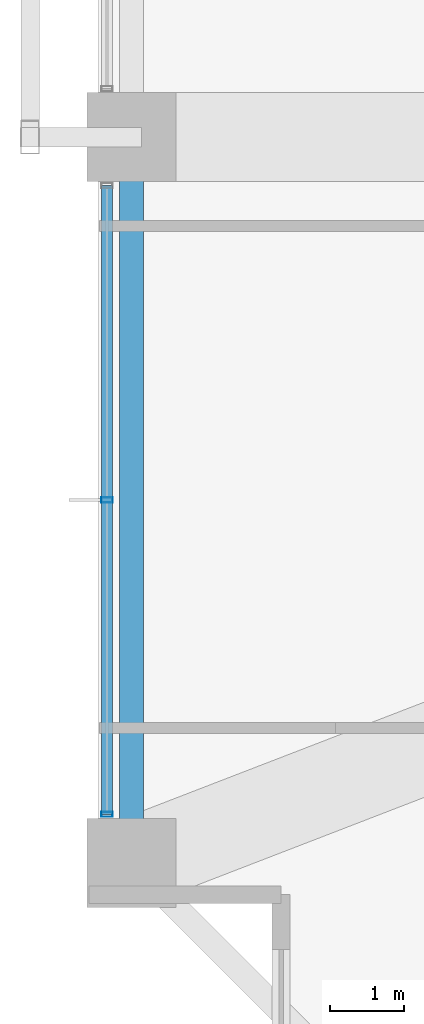
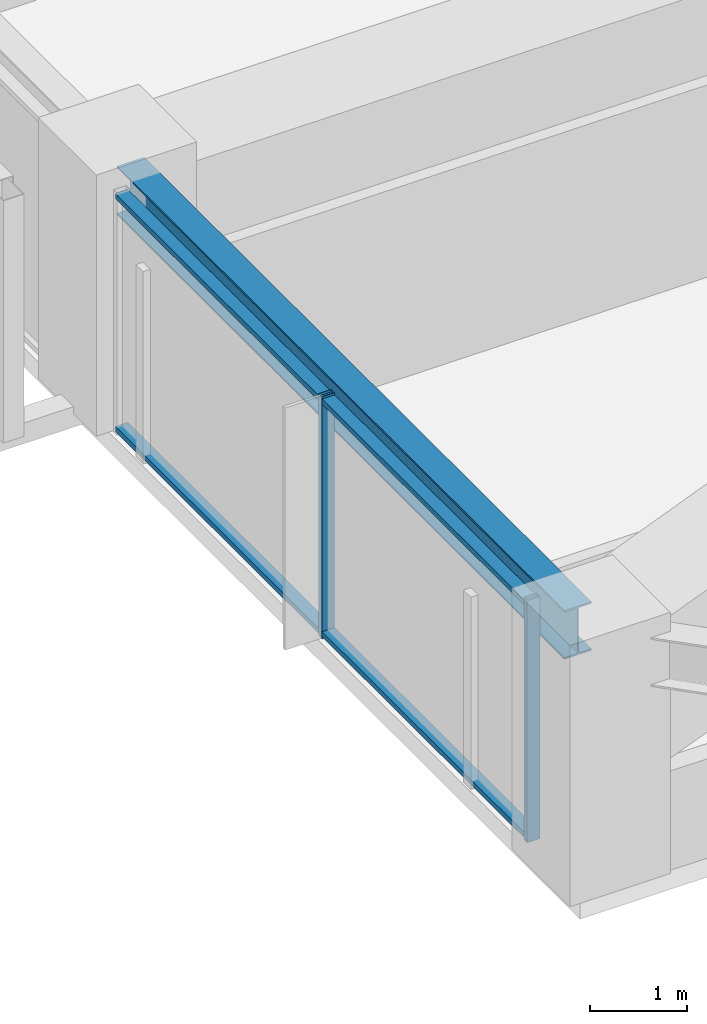
# One storey, part 3 of 37: 4 members, 1 beam, 1 element without a shape of its own.
"""IFC4 building model written with IfcOpenShell, lengths in metres."""

import ifcopenshell
import ifcopenshell.guid

model = None  # the IFC model being written
_history = None  # IfcOwnerHistory: only IFC2X3 demands one
_inside = {}  # id of a spatial element -> (the spatial element, [elements in it])
_under = {}  # id of a project, library or spatial element -> (it, [spatial elements below it])
_declared = {}  # id of a project -> (the project, [libraries it declares])
_typed = {}  # id of a type object -> (the type object, [elements of that type])
_made_of = {}  # id of a material, layer set ... -> (it, [elements and type objects made of it])


def new_model(schema):
    """Start an empty IFC model of exactly this schema.

    Asked for "IFC4X3", IfcOpenShell would pick the latest addendum, in which some entities
    have other attributes; the version numbers below select the first issue.
    IFC2X3 requires an IfcOwnerHistory on every rooted entity: one is made here for all.
    """
    global model, _history
    if schema == "IFC4X3":
        model = ifcopenshell.file(schema_version=(4, 3, 0, 0))
    else:
        model = ifcopenshell.file(schema=schema)
    _inside.clear()
    _under.clear()
    _declared.clear()
    _typed.clear()
    _made_of.clear()
    _history = None
    if model.schema == "IFC2X3":
        org = make("IfcOrganization", Name="unknown")
        user = make(
            "IfcPersonAndOrganization",
            ThePerson=make("IfcPerson", FamilyName="unknown"),
            TheOrganization=org,
        )
        app = make(
            "IfcApplication",
            ApplicationDeveloper=org,
            Version="unknown",
            ApplicationFullName="unknown",
            ApplicationIdentifier="unknown",
        )
        _history = make(
            "IfcOwnerHistory",
            OwningUser=user,
            OwningApplication=app,
            ChangeAction="ADDED",
            CreationDate=0,
        )
    return model


def make(cls, **values):
    """One entity of the class cls with the attributes given. An attribute that is None is left unset."""
    return model.create_entity(
        cls, **{name: value for name, value in values.items() if value is not None}
    )


def rooted(cls, **values):
    """An entity with a GlobalId (a new one), such as an element, a storey or a relation."""
    return make(cls, GlobalId=ifcopenshell.guid.new(), OwnerHistory=_history, **values)


def si_unit(unit_type, name, prefix=None):
    """IfcSIUnit, for example si_unit("LENGTHUNIT", "METRE", prefix="MILLI")."""
    return make("IfcSIUnit", UnitType=unit_type, Prefix=prefix, Name=name)


def assignment(units):
    """IfcUnitAssignment: the units of a project."""
    return None if units is None else make("IfcUnitAssignment", Units=units)


def point(xyz):
    """IfcCartesianPoint."""
    return None if xyz is None else make("IfcCartesianPoint", Coordinates=xyz)


def direction(xyz):
    """IfcDirection."""
    return None if xyz is None else make("IfcDirection", DirectionRatios=xyz)


def frame(location, z_axis=None, x_axis=None):
    """IfcAxis2Placement3D, a coordinate frame: its origin and axes. An axis left out is left unset."""
    return make(
        "IfcAxis2Placement3D",
        Location=point(location),
        Axis=direction(z_axis),
        RefDirection=direction(x_axis),
    )


def frame_2d(location, x_axis=None):
    """IfcAxis2Placement2D, a coordinate frame in the plane: its origin and x axis."""
    return make(
        "IfcAxis2Placement2D", Location=point(location), RefDirection=direction(x_axis)
    )


def origin():
    """The frame at (0, 0, 0) with its axes left unset."""
    return frame((0.0, 0.0, 0.0))


def origin_2d():
    """The frame at (0, 0) in the plane with its x axis left unset."""
    return frame_2d((0.0, 0.0))


def place(relative_to, where):
    """IfcLocalPlacement: puts the frame where relative to a parent placement (None: the world)."""
    return make(
        "IfcLocalPlacement", PlacementRelTo=relative_to, RelativePlacement=where
    )


def context(
    kind, dimensions, precision=None, world=None, true_north=None, identifier=None
):
    """IfcGeometricRepresentationContext, for example the 3D "Model" context."""
    return make(
        "IfcGeometricRepresentationContext",
        ContextIdentifier=identifier,
        ContextType=kind,
        CoordinateSpaceDimension=dimensions,
        Precision=precision,
        WorldCoordinateSystem=world,
        TrueNorth=true_north,
    )


def subcontext(parent, identifier, kind, view, scale=None):
    """IfcGeometricRepresentationSubContext, for example "Body" below "Model"."""
    return make(
        "IfcGeometricRepresentationSubContext",
        ContextIdentifier=identifier,
        ContextType=kind,
        ParentContext=parent,
        TargetScale=scale,
        TargetView=view,
    )


def project(units=None, contexts=None):
    """IfcProject with its units and contexts."""
    return rooted(
        "IfcProject",
        Name="project",
        RepresentationContexts=contexts,
        UnitsInContext=assignment(units),
    )


def spatial(cls, under=None, at=None, **own):
    """A site, building, storey or space (cls), placed at a placement, below another one or the project."""
    s = rooted(cls, ObjectPlacement=at, **own)
    if under is not None:
        _under.setdefault(under.id(), (under, []))[1].append(s)
    return s


def profile(cls, at=None, kind="AREA", **sizes):
    """A parametric profile (cls). Its sizes go by their IFC names, for example OverallWidth=200.0."""
    return make(cls, ProfileType=kind, Position=at, **sizes)


def hollow_rectangle(**sizes):
    """IfcRectangleHollowProfileDef."""
    return profile("IfcRectangleHollowProfileDef", **sizes)


def i_section(**sizes):
    """IfcIShapeProfileDef."""
    return profile("IfcIShapeProfileDef", **sizes)


def extrude(swept, where, along, depth):
    """IfcExtrudedAreaSolid: the profile swept, set in the frame where, extruded along a direction by depth."""
    return make(
        "IfcExtrudedAreaSolid",
        SweptArea=swept,
        Position=where,
        ExtrudedDirection=direction(along),
        Depth=depth,
    )


def shape(context_of_items, identifier, shape_type, items):
    """IfcShapeRepresentation: the items that make up one representation, for example the "Body"."""
    return make(
        "IfcShapeRepresentation",
        ContextOfItems=context_of_items,
        RepresentationIdentifier=identifier,
        RepresentationType=shape_type,
        Items=items,
    )


def material(Name=None, Category=None):
    """IfcMaterial."""
    return make("IfcMaterial", Name=Name, Category=Category)


def material_profile(
    of_material, cross_section, Name=None, Category=None, Priority=None
):
    """IfcMaterialProfile: a cross section and its material."""
    return make(
        "IfcMaterialProfile",
        Name=Name,
        Material=of_material,
        Profile=cross_section,
        Priority=Priority,
        Category=Category,
    )


def profile_set(profiles, Name=None, composite=None):
    """IfcMaterialProfileSet."""
    return make(
        "IfcMaterialProfileSet",
        Name=Name,
        MaterialProfiles=profiles,
        CompositeProfile=composite,
    )


def made_of(thing, what):
    """Note that an element or type object is made of a material, layer set ...; save() writes the relation."""
    if what is not None:
        _made_of.setdefault(what.id(), (what, []))[1].append(thing)
    return thing


def type_object(cls, material=None, **own):
    """A type object (cls), such as IfcWallType, which elements share."""
    return made_of(rooted(cls, **own), material)


def element(
    cls,
    number,
    at=None,
    inside=None,
    cuts=None,
    type_object=None,
    material=None,
    context=None,
    identifier="Body",
    shape_type=None,
    held_by="IfcProductDefinitionShape",
    body=None,
    shapes=None,
    **own,
):
    """One element of the class cls, such as IfcWall. Its Tag is "e" and its number.

    at: its placement. inside: the storey or other place that contains it. cuts: it is an
    opening in that element (IfcRelVoidsElement). A single representation is given by context,
    identifier, shape_type and body (its items); several are given by shapes. held_by: the class
    of the entity that holds the representations. save() writes the other relations.
    """
    e = rooted(cls, Tag="e%d" % number, ObjectPlacement=at, **own)
    if body is not None:
        shapes = [shape(context, identifier, shape_type, body)]
    if shapes is not None:
        e.Representation = make(held_by, Representations=shapes)
    if inside is not None:
        _inside.setdefault(inside.id(), (inside, []))[1].append(e)
    if cuts is not None:
        rooted(
            "IfcRelVoidsElement", RelatingBuildingElement=cuts, RelatedOpeningElement=e
        )
    if type_object is not None:
        _typed.setdefault(type_object.id(), (type_object, []))[1].append(e)
    return made_of(e, material)


def aggregate(whole, parts):
    """IfcRelAggregates: a whole, such as a stair, and the parts it consists of."""
    return rooted("IfcRelAggregates", RelatingObject=whole, RelatedObjects=parts)


def save(model, path):
    """Write the relations noted so far, then the file.

    IfcRelAggregates (storeys below a building ...), IfcRelContainedInSpatialStructure (elements
    in a storey), IfcRelDefinesByType, IfcRelAssociatesMaterial and IfcRelDeclares: one each for
    every whole, place, type object, material and project.
    """
    for whole, parts in _under.values():
        aggregate(whole, parts)
    for where, things in _inside.values():
        rooted(
            "IfcRelContainedInSpatialStructure",
            RelatedElements=things,
            RelatingStructure=where,
        )
    for kind, things in _typed.values():
        rooted("IfcRelDefinesByType", RelatedObjects=things, RelatingType=kind)
    for what, things in _made_of.values():
        rooted("IfcRelAssociatesMaterial", RelatedObjects=things, RelatingMaterial=what)
    for by, libraries in _declared.values():
        rooted("IfcRelDeclares", RelatingContext=by, RelatedDefinitions=libraries)
    model.write(path)


model = new_model("IFC4")

# Units and contexts
model_context = context("Model", 3, precision=1e-05, world=origin(), true_north=direction((0.0, 1.0)))
body_context = subcontext(model_context, "Body", "Model", "MODEL_VIEW")
ifc_project = project(units=[si_unit("LENGTHUNIT", "METRE"), si_unit("AREAUNIT", "SQUARE_METRE"), si_unit("VOLUMEUNIT", "CUBIC_METRE"), si_unit("PLANEANGLEUNIT", "RADIAN"), si_unit("MASSUNIT", "GRAM", prefix="KILO")], contexts=[model_context])

# Site, building, storey
site_placement = place(None, origin())
site = spatial("IfcSite", under=ifc_project, at=site_placement, CompositionType="ELEMENT")
building_placement = place(site_placement, origin())
building = spatial("IfcBuilding", under=site, at=building_placement, Name="Kolvaren Belvedere", CompositionType="ELEMENT")
storey_placement = place(building_placement, frame((0.0, 0.0, 56.800048828125)))
storey = spatial("IfcBuildingStorey", under=building, at=storey_placement, Name="L16", CompositionType="ELEMENT", Elevation=56.800048828125)

# Beam
ifc_material_1 = material(Name="Structural steel ASTM A992 Grade 50", Category="steel")
ifc_material_profile_1 = material_profile(ifc_material_1, i_section(OverallWidth=0.324951171875, OverallDepth=0.615966796875, WebThickness=0.013916015625, FlangeThickness=0.021484375, FilletRadius=0.02001953125, at=origin_2d()), Name="W24X117")
ifc_profile_set_1 = profile_set([ifc_material_profile_1], Name="Structural steel ASTM A992 Grade 50")
beam_type = type_object("IfcBeamType", Name="BM-SPAN-W24X117", PredefinedType="SPANDREL", material=ifc_profile_set_1)
beam_placement = place(storey_placement, frame((-21.550048828125, -4.8701171875, 2.751953125), z_axis=(0.0, -1.0, 0.0), x_axis=(1.0, 0.0, 0.0)))
element("IfcBeam", 1, at=beam_placement, inside=storey, type_object=beam_type, Name="L16 Perimeter Spandrel W2-W1", PredefinedType="SPANDREL", context=body_context, shape_type="SweptSolid", body=[
    extrude(i_section(OverallWidth=0.324951171875, OverallDepth=0.615966796875, WebThickness=0.013916015625, FlangeThickness=0.021484375, FilletRadius=0.02001953125, at=origin_2d()), origin(), (0.0, 0.0, 1.0), 9.259765625),
])

# Curtain wall, members
ifc_material_2 = material(Name="Anodised pale-metal aluminium AA 6063-T6", Category="aluminium")
curtain_wall_type = type_object("IfcCurtainWallType", Name="CW-Z1-LOW", PredefinedType="NOTDEFINED", material=ifc_material_2)
curtain_wall_placement = place(storey_placement, origin())
curtain_wall = element("IfcCurtainWall", 2, at=curtain_wall_placement, inside=storey, type_object=curtain_wall_type, Name="L16 Unitised Curtain Wall FCW-L16-W-B1", PredefinedType="NOTDEFINED")
ifc_material_3 = material(Name="Anodised pale-metal aluminium AA 6063-T6", Category="aluminium")
ifc_material_profile_2 = material_profile(ifc_material_3, hollow_rectangle(XDim=0.070068359375, YDim=0.14990234375, WallThickness=0.004150390625, at=origin_2d()), Name="ALU-MUL-150X70")
ifc_profile_set_2 = profile_set([ifc_material_profile_2], Name="Anodised pale-metal aluminium AA 6063-T6")
member_type_1 = type_object("IfcMemberType", Name="CW-MUL-150", PredefinedType="MULLION", material=ifc_profile_set_2)
member_1_placement = place(storey_placement, frame((-21.8798828125, -13.7451171875, 0.0), z_axis=(0.0, 0.0, 1.0), x_axis=(0.0, 1.0, 0.0)))
member_1 = element("IfcMember", 3, at=member_1_placement, type_object=member_type_1, Name="FCW-L16-W-B1 Unitised Mullion 1", PredefinedType="MULLION", context=body_context, shape_type="SweptSolid", body=[
    extrude(hollow_rectangle(XDim=0.070068359375, YDim=0.14990234375, WallThickness=0.004150390625, at=origin_2d()), origin(), (0.0, 0.0, 1.0), 3.06005859375),
])
member_2_placement = place(storey_placement, frame((-21.8798828125, -9.5, 0.0), z_axis=(0.0, 0.0, 1.0), x_axis=(0.0, 1.0, 0.0)))
member_2 = element("IfcMember", 4, at=member_2_placement, type_object=member_type_1, Name="FCW-L16-W-B1 Unitised Mullion 2", PredefinedType="MULLION", context=body_context, shape_type="SweptSolid", body=[
    extrude(hollow_rectangle(XDim=0.070068359375, YDim=0.14990234375, WallThickness=0.004150390625, at=origin_2d()), origin(), (0.0, 0.0, 1.0), 3.06005859375),
])
ifc_material_4 = material(Name="Anodised pale-metal aluminium AA 6063-T6", Category="aluminium")
ifc_material_profile_3 = material_profile(ifc_material_4, hollow_rectangle(XDim=0.06494140625, YDim=0.14990234375, WallThickness=0.00390625, at=origin_2d()), Name="ALU-TRN-150X65")
ifc_profile_set_3 = profile_set([ifc_material_profile_3], Name="Anodised pale-metal aluminium AA 6063-T6")
member_type_2 = type_object("IfcMemberType", Name="CW-TRN-150", PredefinedType="USERDEFINED", material=ifc_profile_set_3)
member_3_placement = place(storey_placement, frame((-21.8798828125, -13.7451171875, 0.06005859375), z_axis=(0.0, 1.0, 0.0), x_axis=(0.0, 0.0, 1.0)))
member_3 = element("IfcMember", 5, at=member_3_placement, type_object=member_type_2, Name="FCW-L16-W-B1 Sill Transom", ObjectType="TRANSOM", PredefinedType="USERDEFINED", context=body_context, shape_type="SweptSolid", body=[
    extrude(hollow_rectangle(XDim=0.06494140625, YDim=0.14990234375, WallThickness=0.00390625, at=origin_2d()), origin(), (0.0, 0.0, 1.0), 8.490234375),
])
member_4_placement = place(storey_placement, frame((-21.8798828125, -13.7451171875, 3.0), z_axis=(0.0, 1.0, 0.0), x_axis=(0.0, 0.0, 1.0)))
member_4 = element("IfcMember", 6, at=member_4_placement, type_object=member_type_2, Name="FCW-L16-W-B1 Head Transom", ObjectType="TRANSOM", PredefinedType="USERDEFINED", context=body_context, shape_type="SweptSolid", body=[
    extrude(hollow_rectangle(XDim=0.06494140625, YDim=0.14990234375, WallThickness=0.00390625, at=origin_2d()), origin(), (0.0, 0.0, 1.0), 8.490234375),
])
aggregate(curtain_wall, [member_1, member_2, member_3, member_4])

save(model, "model.ifc")
